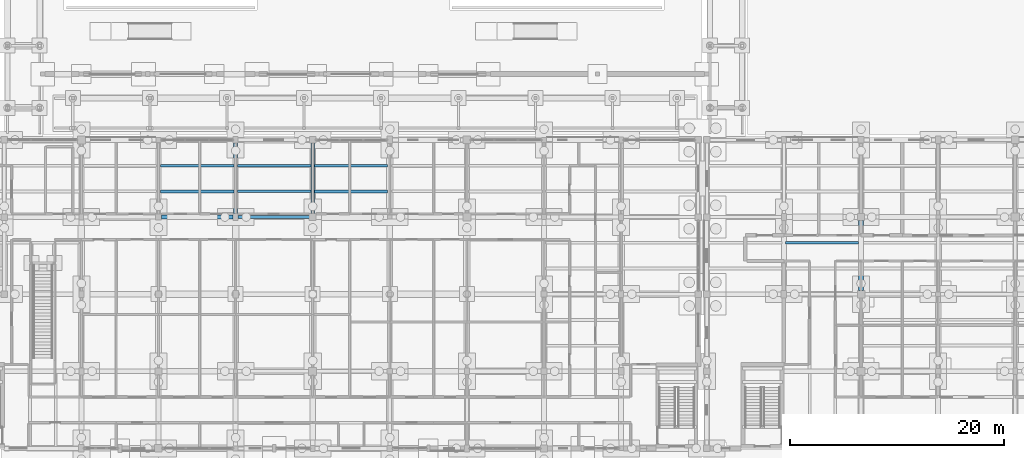
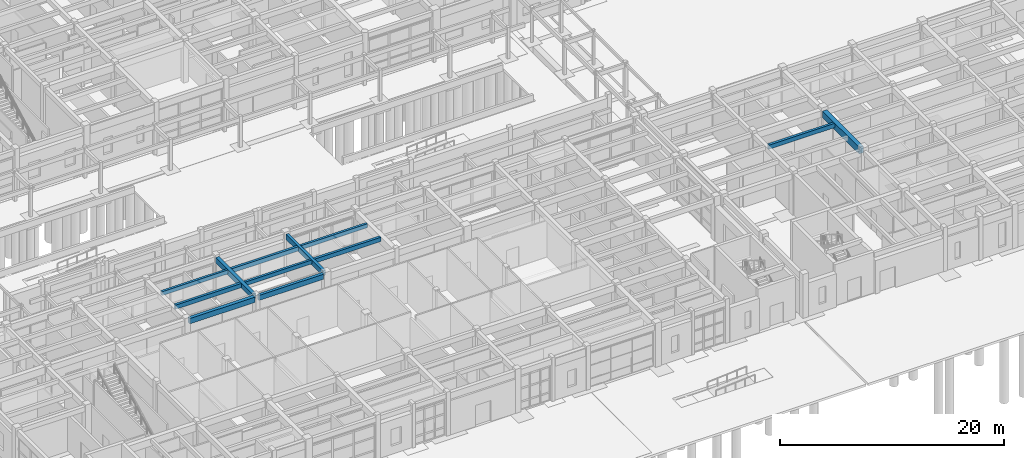
# One storey, part 44 of 143: 12 beams.
"""IFC4 building model written with IfcOpenShell, lengths in metres."""

from ifc_helpers import new_model, si_unit, direction, frame, origin, origin_2d, place, context, subcontext, project, spatial, rectangle, extrude, material, material_profile, profile_set, type_object, element, save


model = new_model("IFC4")

# Units and contexts
model_context = context("Model", 3, precision=1e-05, world=origin(), true_north=direction((0.0, 1.0)))
body_context = subcontext(model_context, "Body", "Model", "MODEL_VIEW")
ifc_project = project(units=[si_unit("LENGTHUNIT", "METRE"), si_unit("AREAUNIT", "SQUARE_METRE"), si_unit("VOLUMEUNIT", "CUBIC_METRE"), si_unit("PLANEANGLEUNIT", "RADIAN"), si_unit("MASSUNIT", "GRAM", prefix="KILO")], contexts=[model_context])

# Site, building, storey
site_placement = place(None, origin())
site = spatial("IfcSite", under=ifc_project, at=site_placement, CompositionType="ELEMENT")
building_placement = place(site_placement, origin())
building = spatial("IfcBuilding", under=site, at=building_placement, Name="Steenspoor Specialist Clinic", CompositionType="ELEMENT")
storey_placement = place(building_placement, origin())
storey = spatial("IfcBuildingStorey", under=building, at=storey_placement, Name="L00", CompositionType="ELEMENT", Elevation=0.0)

# Beams
ifc_material = material(Name="Concrete C35/45", Category="concrete")
ifc_material_profile_1 = material_profile(ifc_material, rectangle(XDim=0.300048828125, YDim=0.550048828125, at=origin_2d()), Name="RC-BM-300X550")
ifc_profile_set_1 = profile_set([ifc_material_profile_1], Name="Concrete C35/45")
beam_type_1 = type_object("IfcBeamType", Name="BM-RC-300X550", PredefinedType="BEAM", material=ifc_profile_set_1)
beam_1_placement = place(storey_placement, frame((74.219970703125, 34.64990234375, 4.27490234375), z_axis=(1.0, 0.0, 0.0), x_axis=(0.0, 1.0, 0.0)))
element("IfcBeam", 1, at=beam_1_placement, inside=storey, type_object=beam_type_1, Name="BM-V1-L00-X0024", PredefinedType="BEAM", context=body_context, shape_type="SweptSolid", body=[
    extrude(rectangle(XDim=0.300048828125, YDim=0.550048828125, at=origin_2d()), origin(), (0.0, 0.0, 1.0), 6.659912109375),
])
beam_2_placement = place(storey_placement, frame((81.199951171875, 34.969970703125, 4.27490234375), z_axis=(0.0, 1.0, 0.0), x_axis=(-1.0, 0.0, 0.0)))
element("IfcBeam", 2, at=beam_2_placement, inside=storey, type_object=beam_type_1, Name="BM-V1-L00-Y0055", PredefinedType="BEAM", context=body_context, shape_type="SweptSolid", body=[
    extrude(rectangle(XDim=0.300048828125, YDim=0.550048828125, at=origin_2d()), origin(), (0.0, 0.0, 1.0), 6.5849609375),
])
ifc_material_profile_2 = material_profile(ifc_material, rectangle(XDim=0.35009765625, YDim=0.580078125, at=origin_2d()), Name="RC-BM-350X580")
ifc_profile_set_2 = profile_set([ifc_material_profile_2], Name="Concrete C35/45")
beam_type_2 = type_object("IfcBeamType", Name="BM-RC-350X580", PredefinedType="BEAM", material=ifc_profile_set_2)
beam_3_placement = place(storey_placement, frame((67.070068359375, 34.64990234375, 4.260009765625), z_axis=(1.0, 0.0, 0.0), x_axis=(0.0, 1.0, 0.0)))
element("IfcBeam", 3, at=beam_3_placement, inside=storey, type_object=beam_type_2, Name="BM-V1-L00-X0023", PredefinedType="BEAM", context=body_context, shape_type="SweptSolid", body=[
    extrude(rectangle(XDim=0.35009765625, YDim=0.580078125, at=origin_2d()), origin(), (0.0, 0.0, 1.0), 6.7099609375),
])
beam_4_placement = place(storey_placement, frame((74.0, 34.969970703125, 4.260009765625), z_axis=(0.0, 1.0, 0.0), x_axis=(-1.0, 0.0, 0.0)))
element("IfcBeam", 4, at=beam_4_placement, inside=storey, type_object=beam_type_2, Name="BM-V1-L00-Y0053", PredefinedType="BEAM", context=body_context, shape_type="SweptSolid", body=[
    extrude(rectangle(XDim=0.35009765625, YDim=0.580078125, at=origin_2d()), origin(), (0.0, 0.0, 1.0), 6.5849609375),
])
ifc_material_profile_3 = material_profile(ifc_material, rectangle(XDim=0.449951171875, YDim=0.719970703125, at=origin_2d()), Name="RC-BM-450X720")
ifc_profile_set_3 = profile_set([ifc_material_profile_3], Name="Concrete C35/45")
beam_type_3 = type_object("IfcBeamType", Name="BM-RC-450X720", PredefinedType="BEAM", material=ifc_profile_set_3)
beam_5_placement = place(storey_placement, frame((132.39990234375, 27.794921875, 4.10009765625), z_axis=(0.0, 1.0, 0.0), x_axis=(-1.0, 0.0, 0.0)))
element("IfcBeam", 5, at=beam_5_placement, inside=storey, type_object=beam_type_3, Name="BM-V2-L00-Y0189", PredefinedType="BEAM", context=body_context, shape_type="SweptSolid", body=[
    extrude(rectangle(XDim=0.449951171875, YDim=0.719970703125, at=origin_2d()), origin(), (0.0, 0.0, 1.0), 6.53515625),
])
ifc_material_profile_4 = material_profile(ifc_material, rectangle(XDim=0.239990234375, YDim=0.419921875, at=origin_2d()), Name="RC-JT-240X420")
ifc_profile_set_4 = profile_set([ifc_material_profile_4], Name="Concrete C35/45")
beam_type_4 = type_object("IfcBeamType", Name="JT-RC-240X420", PredefinedType="JOIST", material=ifc_profile_set_4)
beam_6_placement = place(storey_placement, frame((66.9951171875, 39.449951171875, 4.340087890625), z_axis=(1.0, 0.0, 0.0), x_axis=(0.0, 1.0, 0.0)))
element("IfcBeam", 6, at=beam_6_placement, inside=storey, type_object=beam_type_4, Name="JT-V1-L00-0086", PredefinedType="JOIST", context=body_context, shape_type="SweptSolid", body=[
    extrude(rectangle(XDim=0.239990234375, YDim=0.419921875, at=origin_2d()), origin(), (0.0, 0.0, 1.0), 6.8349609375),
])
beam_7_placement = place(storey_placement, frame((74.169921875, 37.050048828125, 4.340087890625), z_axis=(1.0, 0.0, 0.0), x_axis=(0.0, 1.0, 0.0)))
element("IfcBeam", 7, at=beam_7_placement, inside=storey, type_object=beam_type_4, Name="JT-V1-L00-0089", PredefinedType="JOIST", context=body_context, shape_type="SweptSolid", body=[
    extrude(rectangle(XDim=0.239990234375, YDim=0.419921875, at=origin_2d()), origin(), (0.0, 0.0, 1.0), 6.885009765625),
])
beam_8_placement = place(storey_placement, frame((81.344970703125, 39.449951171875, 4.340087890625), z_axis=(1.0, 0.0, 0.0), x_axis=(0.0, 1.0, 0.0)))
element("IfcBeam", 8, at=beam_8_placement, inside=storey, type_object=beam_type_4, Name="JT-V1-L00-0094", PredefinedType="JOIST", context=body_context, shape_type="SweptSolid", body=[
    extrude(rectangle(XDim=0.239990234375, YDim=0.419921875, at=origin_2d()), origin(), (0.0, 0.0, 1.0), 6.8349609375),
])
ifc_material_profile_5 = material_profile(ifc_material, rectangle(XDim=0.260009765625, YDim=0.4599609375, at=origin_2d()), Name="RC-JT-260X460")
ifc_profile_set_5 = profile_set([ifc_material_profile_5], Name="Concrete C35/45")
beam_type_5 = type_object("IfcBeamType", Name="JT-RC-260X460", PredefinedType="JOIST", material=ifc_profile_set_5)
beam_9_placement = place(storey_placement, frame((66.9951171875, 37.050048828125, 4.320068359375), z_axis=(1.0, 0.0, 0.0), x_axis=(0.0, 1.0, 0.0)))
element("IfcBeam", 9, at=beam_9_placement, inside=storey, type_object=beam_type_5, Name="JT-V1-L00-0085", PredefinedType="JOIST", context=body_context, shape_type="SweptSolid", body=[
    extrude(rectangle(XDim=0.260009765625, YDim=0.4599609375, at=origin_2d()), origin(), (0.0, 0.0, 1.0), 6.8349609375),
])
beam_10_placement = place(storey_placement, frame((74.169921875, 39.449951171875, 4.320068359375), z_axis=(1.0, 0.0, 0.0), x_axis=(0.0, 1.0, 0.0)))
element("IfcBeam", 10, at=beam_10_placement, inside=storey, type_object=beam_type_5, Name="JT-V1-L00-0090", PredefinedType="JOIST", context=body_context, shape_type="SweptSolid", body=[
    extrude(rectangle(XDim=0.260009765625, YDim=0.4599609375, at=origin_2d()), origin(), (0.0, 0.0, 1.0), 6.885009765625),
])
beam_11_placement = place(storey_placement, frame((81.344970703125, 37.050048828125, 4.320068359375), z_axis=(1.0, 0.0, 0.0), x_axis=(0.0, 1.0, 0.0)))
element("IfcBeam", 11, at=beam_11_placement, inside=storey, type_object=beam_type_5, Name="JT-V1-L00-0093", PredefinedType="JOIST", context=body_context, shape_type="SweptSolid", body=[
    extrude(rectangle(XDim=0.260009765625, YDim=0.4599609375, at=origin_2d()), origin(), (0.0, 0.0, 1.0), 6.8349609375),
])
beam_12_placement = place(storey_placement, frame((125.3701171875, 32.25, 4.22998046875), z_axis=(1.0, 0.0, 0.0), x_axis=(0.0, 1.0, 0.0)))
element("IfcBeam", 12, at=beam_12_placement, inside=storey, type_object=beam_type_5, Name="JT-V2-L00-0214", PredefinedType="JOIST", context=body_context, shape_type="SweptSolid", body=[
    extrude(rectangle(XDim=0.260009765625, YDim=0.4599609375, at=origin_2d()), origin(), (0.0, 0.0, 1.0), 6.809814453125),
])

save(model, "model.ifc")
